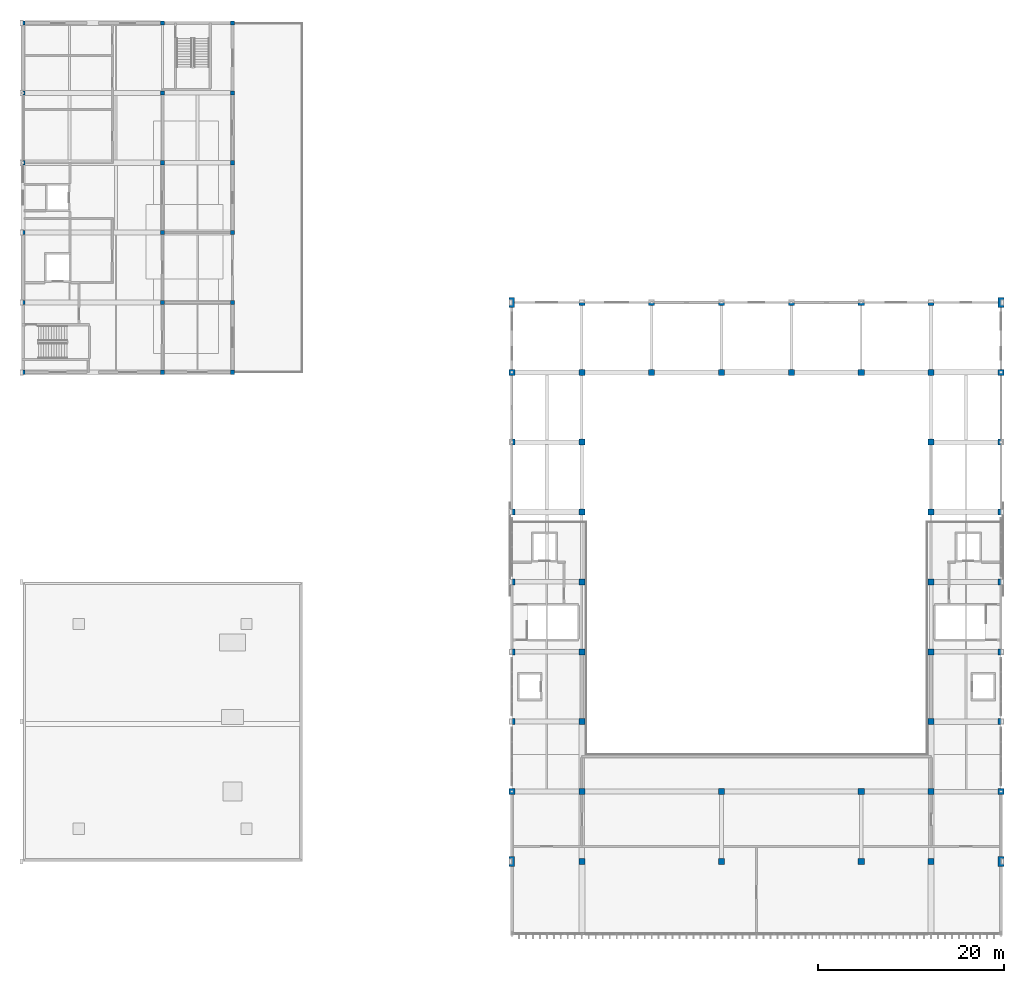
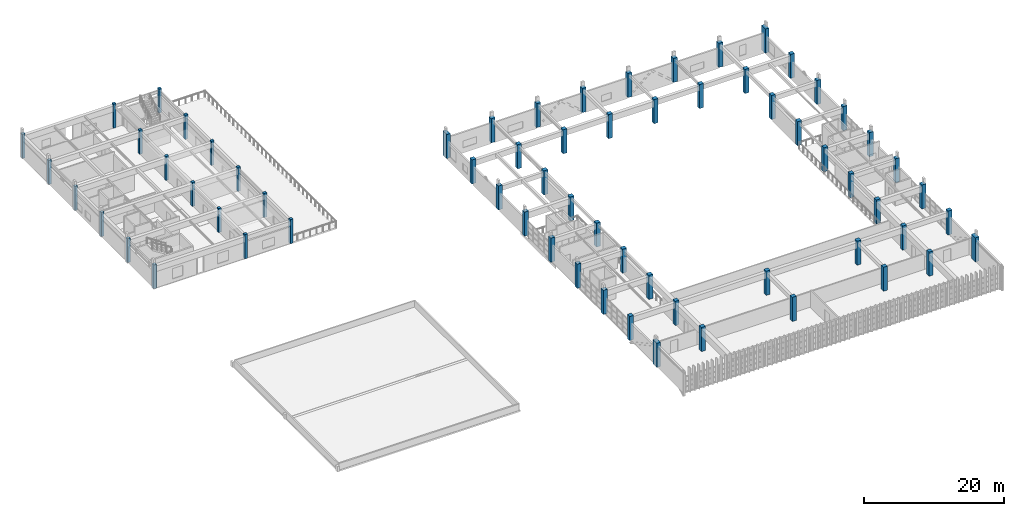
# One storey, part 1 of 51: 66 columns.
"""IFC4 building model written with IfcOpenShell, lengths in metres."""

from ifc_helpers import new_model, si_unit, direction, frame, origin, origin_2d, place, context, subcontext, project, spatial, rectangle, extrude, material, material_profile, profile_set, type_object, element, save


model = new_model("IFC4")

# Units and contexts
model_context = context("Model", 3, precision=1e-05, world=origin(), true_north=direction((0.0, 1.0)))
body_context = subcontext(model_context, "Body", "Model", "MODEL_VIEW")
ifc_project = project(units=[si_unit("LENGTHUNIT", "METRE"), si_unit("AREAUNIT", "SQUARE_METRE"), si_unit("VOLUMEUNIT", "CUBIC_METRE"), si_unit("PLANEANGLEUNIT", "RADIAN"), si_unit("MASSUNIT", "GRAM", prefix="KILO")], contexts=[model_context])

# Site, building, storey
site_placement = place(None, origin())
site = spatial("IfcSite", under=ifc_project, at=site_placement, CompositionType="ELEMENT")
building_placement = place(site_placement, origin())
building = spatial("IfcBuilding", under=site, at=building_placement, Name="Qasida Concert Hall", CompositionType="ELEMENT")
storey_placement = place(building_placement, frame((0.0, 0.0, 21.0)))
storey = spatial("IfcBuildingStorey", under=building, at=storey_placement, Name="L05", CompositionType="ELEMENT", Elevation=21.0)

# Columns
ifc_material = material(Name="Concrete C50/60", Category="concrete")
ifc_material_profile_1 = material_profile(ifc_material, rectangle(XDim=0.64990234375, YDim=0.64990234375, at=origin_2d()), Name="RC 650x650")
ifc_profile_set_1 = profile_set([ifc_material_profile_1], Name="Concrete C50/60")
column_type_1 = type_object("IfcColumnType", Name="COL-C-106", PredefinedType="COLUMN", material=ifc_profile_set_1)
for number, where, z_axis, x_axis, name in (
    (1, (52.5, 30.0, 0.0), (0.0, 0.0, 1.0), (1.0, 0.0, 0.0), "L05 column C-106 (V1)"),
    (2, (52.5, 37.5, 0.0), (0.0, 0.0, 1.0), (1.0, 0.0, 0.0), "L05 column C-106 (V1)"),
    (3, (52.5, 45.0, 0.0), (0.0, 0.0, 1.0), (1.0, 0.0, 0.0), "L05 column C-106 (V1)"),
    (4, (52.5, 52.5, 0.0), (0.0, 0.0, 1.0), (1.0, 0.0, 0.0), "L05 column C-106 (V1)"),
    (5, (52.5, 60.0, 0.0), (0.0, 0.0, 1.0), (1.0, 0.0, 0.0), "L05 column C-106 (V1)"),
    (6, (52.5, 67.5, 0.0), (0.0, 0.0, 1.0), (1.0, 0.0, 0.0), "L05 column C-106 (V1)"),
    (7, (52.5, 75.0, 0.0), (0.0, 0.0, 1.0), (1.0, 0.0, 0.0), "L05 column C-106 (V1)"),
    (8, (60.0, 22.5, 0.0), (0.0, 0.0, 1.0), (1.0, 0.0, 0.0), "L05 column C-106 (V1)"),
    (9, (60.0, 30.0, 0.0), (0.0, 0.0, 1.0), (1.0, 0.0, 0.0), "L05 column C-106 (V1)"),
    (10, (60.0, 37.5, 0.0), (0.0, 0.0, 1.0), (1.0, 0.0, 0.0), "L05 column C-106 (V1)"),
    (11, (60.0, 45.0, 0.0), (0.0, 0.0, 1.0), (1.0, 0.0, 0.0), "L05 column C-106 (V1)"),
    (12, (60.0, 52.5, 0.0), (0.0, 0.0, 1.0), (1.0, 0.0, 0.0), "L05 column C-106 (V1)"),
    (13, (60.0, 60.0, 0.0), (0.0, 0.0, 1.0), (1.0, 0.0, 0.0), "L05 column C-106 (V1)"),
    (14, (60.0, 67.5, 0.0), (0.0, 0.0, 1.0), (1.0, 0.0, 0.0), "L05 column C-106 (V1)"),
    (15, (60.0, 75.0, 0.0), (0.0, 0.0, 1.0), (1.0, 0.0, 0.0), "L05 column C-106 (V1)"),
    (16, (60.0, 82.5, 0.0), (0.0, 0.0, 1.0), (1.0, 0.0, 0.0), "L05 column C-106 (V1)"),
    (17, (67.5, 75.0, 0.0), (0.0, 0.0, 1.0), (1.0, 0.0, 0.0), "L05 column C-106 (V1)"),
    (18, (67.5, 82.5, 0.0), (0.0, 0.0, 1.0), (1.0, 0.0, 0.0), "L05 column C-106 (V1)"),
    (19, (75.0, 22.5, 0.0), (0.0, 0.0, 1.0), (1.0, 0.0, 0.0), "L05 column C-106 (V1)"),
    (20, (75.0, 30.0, 0.0), (0.0, 0.0, 1.0), (1.0, 0.0, 0.0), "L05 column C-106 (V1)"),
    (21, (75.0, 75.0, 0.0), (0.0, 0.0, 1.0), (1.0, 0.0, 0.0), "L05 column C-106 (V1)"),
    (22, (75.0, 82.5, 0.0), (0.0, 0.0, 1.0), (1.0, 0.0, 0.0), "L05 column C-106 (V1)"),
    (23, (82.5, 75.0, 0.0), (0.0, 0.0, 1.0), (1.0, 0.0, 0.0), "L05 column C-106 (V1)"),
    (24, (82.5, 82.5, 0.0), (0.0, 0.0, 1.0), (1.0, 0.0, 0.0), "L05 column C-106 (V1)"),
    (25, (90.0, 22.5, 0.0), (0.0, 0.0, 1.0), (1.0, 0.0, 0.0), "L05 column C-106 (V1)"),
    (26, (90.0, 30.0, 0.0), (0.0, 0.0, 1.0), (1.0, 0.0, 0.0), "L05 column C-106 (V1)"),
    (27, (90.0, 75.0, 0.0), (0.0, 0.0, 1.0), (1.0, 0.0, 0.0), "L05 column C-106 (V1)"),
    (28, (90.0, 82.5, 0.0), (0.0, 0.0, 1.0), (1.0, 0.0, 0.0), "L05 column C-106 (V1)"),
    (29, (97.5, 22.5, 0.0), (0.0, 0.0, 1.0), (1.0, 0.0, 0.0), "L05 column C-106 (V1)"),
    (30, (97.5, 30.0, 0.0), (0.0, 0.0, 1.0), (1.0, 0.0, 0.0), "L05 column C-106 (V1)"),
    (31, (97.5, 37.5, 0.0), (0.0, 0.0, 1.0), (1.0, 0.0, 0.0), "L05 column C-106 (V1)"),
    (32, (97.5, 45.0, 0.0), (0.0, 0.0, 1.0), (1.0, 0.0, 0.0), "L05 column C-106 (V1)"),
    (33, (97.5, 52.5, 0.0), (0.0, 0.0, 1.0), (1.0, 0.0, 0.0), "L05 column C-106 (V1)"),
    (34, (97.5, 60.0, 0.0), (0.0, 0.0, 1.0), (1.0, 0.0, 0.0), "L05 column C-106 (V1)"),
    (35, (97.5, 67.5, 0.0), (0.0, 0.0, 1.0), (1.0, 0.0, 0.0), "L05 column C-106 (V1)"),
    (36, (97.5, 75.0, 0.0), (0.0, 0.0, 1.0), (1.0, 0.0, 0.0), "L05 column C-106 (V1)"),
    (37, (97.5, 82.5, 0.0), (0.0, 0.0, 1.0), (1.0, 0.0, 0.0), "L05 column C-106 (V1)"),
    (38, (105.0, 30.0, 0.0), (0.0, 0.0, 1.0), (1.0, 0.0, 0.0), "L05 column C-106 (V1)"),
    (39, (105.0, 37.5, 0.0), (0.0, 0.0, 1.0), (1.0, 0.0, 0.0), "L05 column C-106 (V1)"),
    (40, (105.0, 45.0, 0.0), (0.0, 0.0, 1.0), (1.0, 0.0, 0.0), "L05 column C-106 (V1)"),
    (41, (105.0, 52.5, 0.0), (0.0, 0.0, 1.0), (1.0, 0.0, 0.0), "L05 column C-106 (V1)"),
    (42, (105.0, 60.0, 0.0), (0.0, 0.0, 1.0), (1.0, 0.0, 0.0), "L05 column C-106 (V1)"),
    (43, (105.0, 67.5, 0.0), (0.0, 0.0, 1.0), (1.0, 0.0, 0.0), "L05 column C-106 (V1)"),
    (44, (105.0, 75.0, 0.0), (0.0, 0.0, 1.0), (1.0, 0.0, 0.0), "L05 column C-106 (V1)"),
):
    element("IfcColumn", number, at=place(storey_placement, frame(where, z_axis=z_axis, x_axis=x_axis)), inside=storey, type_object=column_type_1, Name=name, PredefinedType="COLUMN", context=body_context, shape_type="SweptSolid", body=[
        extrude(rectangle(XDim=0.64990234375, YDim=0.64990234375, at=origin_2d()), origin(), (0.0, 0.0, 1.0), 4.199951171875),
    ])
ifc_material_profile_2 = material_profile(ifc_material, rectangle(XDim=0.449951171875, YDim=0.449951171875, at=origin_2d()), Name="RC 450x450")
ifc_profile_set_2 = profile_set([ifc_material_profile_2], Name="Concrete C50/60")
column_type_2 = type_object("IfcColumnType", Name="COL-C-110", PredefinedType="COLUMN", material=ifc_profile_set_2)
for number, where, z_axis, x_axis, name in (
    (45, (0.0, 75.0, 0.0), (0.0, 0.0, 1.0), (1.0, 0.0, 0.0), "L05 column C-110 (V5)"),
    (46, (0.0, 82.5, 0.0), (0.0, 0.0, 1.0), (1.0, 0.0, 0.0), "L05 column C-110 (V5)"),
    (47, (0.0, 90.0, 0.0), (0.0, 0.0, 1.0), (1.0, 0.0, 0.0), "L05 column C-110 (V5)"),
    (48, (0.0, 97.5, 0.0), (0.0, 0.0, 1.0), (1.0, 0.0, 0.0), "L05 column C-110 (V5)"),
    (49, (0.0, 105.0, 0.0), (0.0, 0.0, 1.0), (1.0, 0.0, 0.0), "L05 column C-110 (V5)"),
    (50, (0.0, 112.5, 0.0), (0.0, 0.0, 1.0), (1.0, 0.0, 0.0), "L05 column C-110 (V5)"),
    (51, (15.0, 75.0, 0.0), (0.0, 0.0, 1.0), (1.0, 0.0, 0.0), "L05 column C-110 (V5)"),
    (52, (15.0, 82.5, 0.0), (0.0, 0.0, 1.0), (1.0, 0.0, 0.0), "L05 column C-110 (V5)"),
    (53, (15.0, 90.0, 0.0), (0.0, 0.0, 1.0), (1.0, 0.0, 0.0), "L05 column C-110 (V5)"),
    (54, (15.0, 97.5, 0.0), (0.0, 0.0, 1.0), (1.0, 0.0, 0.0), "L05 column C-110 (V5)"),
    (55, (15.0, 105.0, 0.0), (0.0, 0.0, 1.0), (1.0, 0.0, 0.0), "L05 column C-110 (V5)"),
    (56, (15.0, 112.5, 0.0), (0.0, 0.0, 1.0), (1.0, 0.0, 0.0), "L05 column C-110 (V5)"),
    (57, (22.5, 75.0, 0.0), (0.0, 0.0, 1.0), (1.0, 0.0, 0.0), "L05 column C-110 (V5)"),
    (58, (22.5, 82.5, 0.0), (0.0, 0.0, 1.0), (1.0, 0.0, 0.0), "L05 column C-110 (V5)"),
    (59, (22.5, 90.0, 0.0), (0.0, 0.0, 1.0), (1.0, 0.0, 0.0), "L05 column C-110 (V5)"),
    (60, (22.5, 97.5, 0.0), (0.0, 0.0, 1.0), (1.0, 0.0, 0.0), "L05 column C-110 (V5)"),
    (61, (22.5, 105.0, 0.0), (0.0, 0.0, 1.0), (1.0, 0.0, 0.0), "L05 column C-110 (V5)"),
    (62, (22.5, 112.5, 0.0), (0.0, 0.0, 1.0), (1.0, 0.0, 0.0), "L05 column C-110 (V5)"),
):
    element("IfcColumn", number, at=place(storey_placement, frame(where, z_axis=z_axis, x_axis=x_axis)), inside=storey, type_object=column_type_2, Name=name, PredefinedType="COLUMN", context=body_context, shape_type="SweptSolid", body=[
        extrude(rectangle(XDim=0.449951171875, YDim=0.449951171875, at=origin_2d()), origin(), (0.0, 0.0, 1.0), 4.199951171875),
    ])
ifc_material_profile_3 = material_profile(ifc_material, rectangle(XDim=0.60009765625, YDim=1.10009765625, at=origin_2d()), Name="RC 600x1100")
ifc_profile_set_3 = profile_set([ifc_material_profile_3], Name="Concrete C50/60")
column_type_3 = type_object("IfcColumnType", Name="COL-C-112", PredefinedType="COLUMN", material=ifc_profile_set_3)
for number, where, z_axis, x_axis, name in (
    (63, (52.5, 22.5, 0.0), (0.0, 0.0, 1.0), (1.0, 0.0, 0.0), "L05 column C-112 (V1)"),
    (64, (52.5, 82.5, 0.0), (0.0, 0.0, 1.0), (1.0, 0.0, 0.0), "L05 column C-112 (V1)"),
    (65, (105.0, 22.5, 0.0), (0.0, 0.0, 1.0), (1.0, 0.0, 0.0), "L05 column C-112 (V1)"),
    (66, (105.0, 82.5, 0.0), (0.0, 0.0, 1.0), (1.0, 0.0, 0.0), "L05 column C-112 (V1)"),
):
    element("IfcColumn", number, at=place(storey_placement, frame(where, z_axis=z_axis, x_axis=x_axis)), inside=storey, type_object=column_type_3, Name=name, PredefinedType="COLUMN", context=body_context, shape_type="SweptSolid", body=[
        extrude(rectangle(XDim=0.60009765625, YDim=1.10009765625, at=origin_2d()), origin(), (0.0, 0.0, 1.0), 4.199951171875),
    ])

save(model, "model.ifc")
